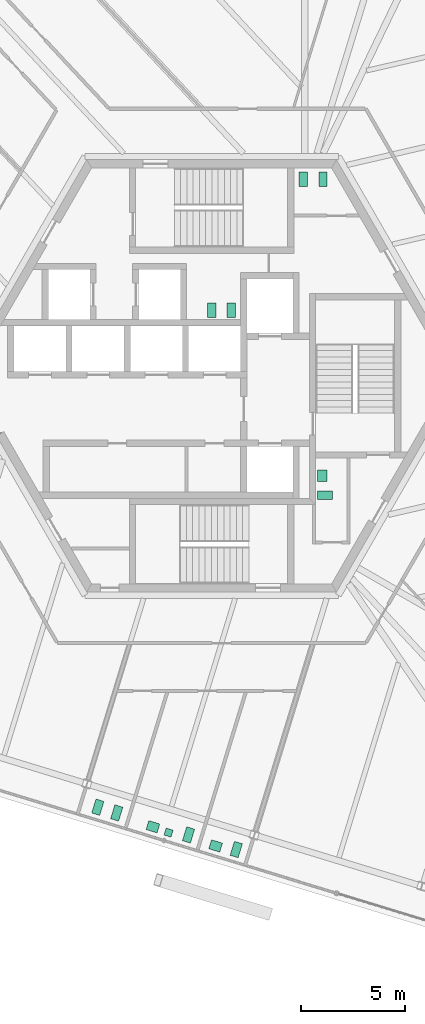
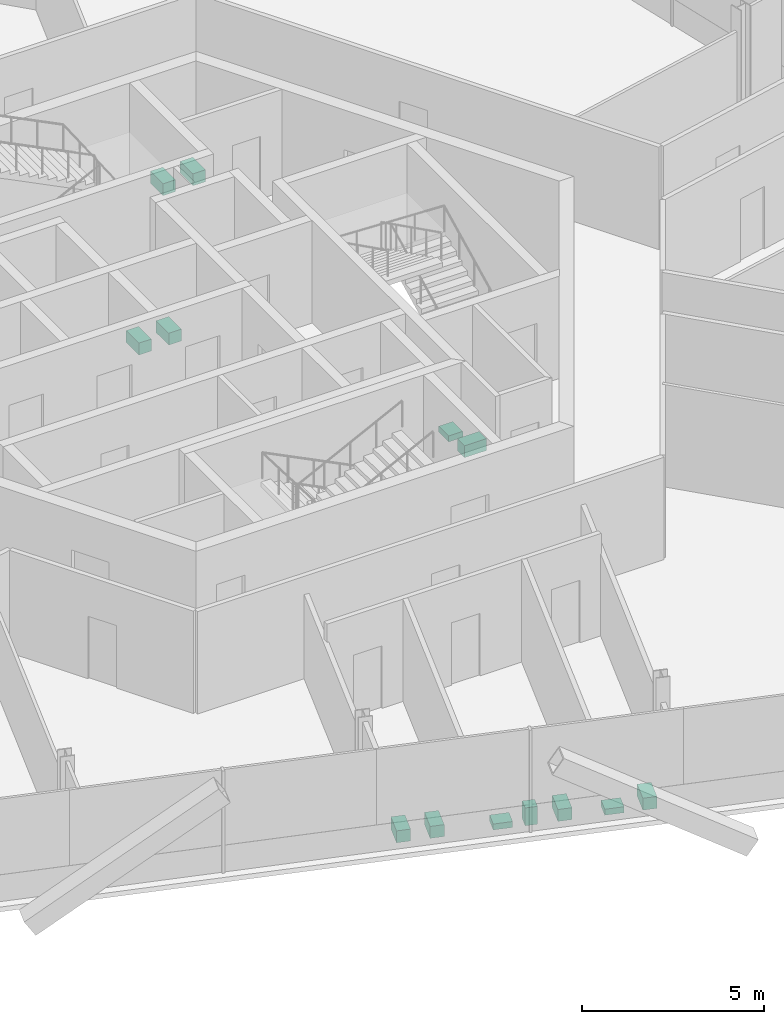
# One storey, part 17 of 19: 13 sanitary terminals.
"""IFC4 building model written with IfcOpenShell, lengths in metres."""

import ifcopenshell
import ifcopenshell.guid

model = None  # the IFC model being written
_history = None  # IfcOwnerHistory: only IFC2X3 demands one
_inside = {}  # id of a spatial element -> (the spatial element, [elements in it])
_under = {}  # id of a project, library or spatial element -> (it, [spatial elements below it])
_declared = {}  # id of a project -> (the project, [libraries it declares])
_typed = {}  # id of a type object -> (the type object, [elements of that type])
_made_of = {}  # id of a material, layer set ... -> (it, [elements and type objects made of it])


def new_model(schema):
    """Start an empty IFC model of exactly this schema.

    Asked for "IFC4X3", IfcOpenShell would pick the latest addendum, in which some entities
    have other attributes; the version numbers below select the first issue.
    IFC2X3 requires an IfcOwnerHistory on every rooted entity: one is made here for all.
    """
    global model, _history
    if schema == "IFC4X3":
        model = ifcopenshell.file(schema_version=(4, 3, 0, 0))
    else:
        model = ifcopenshell.file(schema=schema)
    _inside.clear()
    _under.clear()
    _declared.clear()
    _typed.clear()
    _made_of.clear()
    _history = None
    if model.schema == "IFC2X3":
        org = make("IfcOrganization", Name="unknown")
        user = make(
            "IfcPersonAndOrganization",
            ThePerson=make("IfcPerson", FamilyName="unknown"),
            TheOrganization=org,
        )
        app = make(
            "IfcApplication",
            ApplicationDeveloper=org,
            Version="unknown",
            ApplicationFullName="unknown",
            ApplicationIdentifier="unknown",
        )
        _history = make(
            "IfcOwnerHistory",
            OwningUser=user,
            OwningApplication=app,
            ChangeAction="ADDED",
            CreationDate=0,
        )
    return model


def make(cls, **values):
    """One entity of the class cls with the attributes given. An attribute that is None is left unset."""
    return model.create_entity(
        cls, **{name: value for name, value in values.items() if value is not None}
    )


def rooted(cls, **values):
    """An entity with a GlobalId (a new one), such as an element, a storey or a relation."""
    return make(cls, GlobalId=ifcopenshell.guid.new(), OwnerHistory=_history, **values)


def si_unit(unit_type, name, prefix=None):
    """IfcSIUnit, for example si_unit("LENGTHUNIT", "METRE", prefix="MILLI")."""
    return make("IfcSIUnit", UnitType=unit_type, Prefix=prefix, Name=name)


def assignment(units):
    """IfcUnitAssignment: the units of a project."""
    return None if units is None else make("IfcUnitAssignment", Units=units)


def point(xyz):
    """IfcCartesianPoint."""
    return None if xyz is None else make("IfcCartesianPoint", Coordinates=xyz)


def direction(xyz):
    """IfcDirection."""
    return None if xyz is None else make("IfcDirection", DirectionRatios=xyz)


def frame(location, z_axis=None, x_axis=None):
    """IfcAxis2Placement3D, a coordinate frame: its origin and axes. An axis left out is left unset."""
    return make(
        "IfcAxis2Placement3D",
        Location=point(location),
        Axis=direction(z_axis),
        RefDirection=direction(x_axis),
    )


def frame_2d(location, x_axis=None):
    """IfcAxis2Placement2D, a coordinate frame in the plane: its origin and x axis."""
    return make(
        "IfcAxis2Placement2D", Location=point(location), RefDirection=direction(x_axis)
    )


def origin():
    """The frame at (0, 0, 0) with its axes left unset."""
    return frame((0.0, 0.0, 0.0))


def origin_2d():
    """The frame at (0, 0) in the plane with its x axis left unset."""
    return frame_2d((0.0, 0.0))


def place(relative_to, where):
    """IfcLocalPlacement: puts the frame where relative to a parent placement (None: the world)."""
    return make(
        "IfcLocalPlacement", PlacementRelTo=relative_to, RelativePlacement=where
    )


def context(
    kind, dimensions, precision=None, world=None, true_north=None, identifier=None
):
    """IfcGeometricRepresentationContext, for example the 3D "Model" context."""
    return make(
        "IfcGeometricRepresentationContext",
        ContextIdentifier=identifier,
        ContextType=kind,
        CoordinateSpaceDimension=dimensions,
        Precision=precision,
        WorldCoordinateSystem=world,
        TrueNorth=true_north,
    )


def subcontext(parent, identifier, kind, view, scale=None):
    """IfcGeometricRepresentationSubContext, for example "Body" below "Model"."""
    return make(
        "IfcGeometricRepresentationSubContext",
        ContextIdentifier=identifier,
        ContextType=kind,
        ParentContext=parent,
        TargetScale=scale,
        TargetView=view,
    )


def project(units=None, contexts=None):
    """IfcProject with its units and contexts."""
    return rooted(
        "IfcProject",
        Name="project",
        RepresentationContexts=contexts,
        UnitsInContext=assignment(units),
    )


def spatial(cls, under=None, at=None, **own):
    """A site, building, storey or space (cls), placed at a placement, below another one or the project."""
    s = rooted(cls, ObjectPlacement=at, **own)
    if under is not None:
        _under.setdefault(under.id(), (under, []))[1].append(s)
    return s


def profile(cls, at=None, kind="AREA", **sizes):
    """A parametric profile (cls). Its sizes go by their IFC names, for example OverallWidth=200.0."""
    return make(cls, ProfileType=kind, Position=at, **sizes)


def rectangle(**sizes):
    """IfcRectangleProfileDef."""
    return profile("IfcRectangleProfileDef", **sizes)


def extrude(swept, where, along, depth):
    """IfcExtrudedAreaSolid: the profile swept, set in the frame where, extruded along a direction by depth."""
    return make(
        "IfcExtrudedAreaSolid",
        SweptArea=swept,
        Position=where,
        ExtrudedDirection=direction(along),
        Depth=depth,
    )


def shape(context_of_items, identifier, shape_type, items):
    """IfcShapeRepresentation: the items that make up one representation, for example the "Body"."""
    return make(
        "IfcShapeRepresentation",
        ContextOfItems=context_of_items,
        RepresentationIdentifier=identifier,
        RepresentationType=shape_type,
        Items=items,
    )


def source(mapping_origin, context_of_items, identifier, shape_type, items):
    """IfcRepresentationMap: a shape defined once, which mapped items show again and again."""
    return make(
        "IfcRepresentationMap",
        MappingOrigin=mapping_origin,
        MappedRepresentation=shape(context_of_items, identifier, shape_type, items),
    )


def transform(
    local_origin,
    x_axis=None,
    y_axis=None,
    z_axis=None,
    scale=None,
    scale2=None,
    scale3=None,
    uniform=True,
):
    """IfcCartesianTransformationOperator3D, or its non-uniform kind. x_axis, y_axis, z_axis: its Axis1, 2, 3."""
    if uniform:
        return make(
            "IfcCartesianTransformationOperator3D",
            Axis1=direction(x_axis),
            Axis2=direction(y_axis),
            LocalOrigin=point(local_origin),
            Scale=scale,
            Axis3=direction(z_axis),
        )
    return make(
        "IfcCartesianTransformationOperator3DnonUniform",
        Axis1=direction(x_axis),
        Axis2=direction(y_axis),
        LocalOrigin=point(local_origin),
        Scale=scale,
        Axis3=direction(z_axis),
        Scale2=scale2,
        Scale3=scale3,
    )


def mapped(mapping_source, mapping_target):
    """IfcMappedItem: shows the shape of a source again, moved by a transform."""
    return make(
        "IfcMappedItem", MappingSource=mapping_source, MappingTarget=mapping_target
    )


def material(Name=None, Category=None):
    """IfcMaterial."""
    return make("IfcMaterial", Name=Name, Category=Category)


def made_of(thing, what):
    """Note that an element or type object is made of a material, layer set ...; save() writes the relation."""
    if what is not None:
        _made_of.setdefault(what.id(), (what, []))[1].append(thing)
    return thing


def element(
    cls,
    number,
    at=None,
    inside=None,
    cuts=None,
    type_object=None,
    material=None,
    context=None,
    identifier="Body",
    shape_type=None,
    held_by="IfcProductDefinitionShape",
    body=None,
    shapes=None,
    **own,
):
    """One element of the class cls, such as IfcWall. Its Tag is "e" and its number.

    at: its placement. inside: the storey or other place that contains it. cuts: it is an
    opening in that element (IfcRelVoidsElement). A single representation is given by context,
    identifier, shape_type and body (its items); several are given by shapes. held_by: the class
    of the entity that holds the representations. save() writes the other relations.
    """
    e = rooted(cls, Tag="e%d" % number, ObjectPlacement=at, **own)
    if body is not None:
        shapes = [shape(context, identifier, shape_type, body)]
    if shapes is not None:
        e.Representation = make(held_by, Representations=shapes)
    if inside is not None:
        _inside.setdefault(inside.id(), (inside, []))[1].append(e)
    if cuts is not None:
        rooted(
            "IfcRelVoidsElement", RelatingBuildingElement=cuts, RelatedOpeningElement=e
        )
    if type_object is not None:
        _typed.setdefault(type_object.id(), (type_object, []))[1].append(e)
    return made_of(e, material)


def aggregate(whole, parts):
    """IfcRelAggregates: a whole, such as a stair, and the parts it consists of."""
    return rooted("IfcRelAggregates", RelatingObject=whole, RelatedObjects=parts)


def save(model, path):
    """Write the relations noted so far, then the file.

    IfcRelAggregates (storeys below a building ...), IfcRelContainedInSpatialStructure (elements
    in a storey), IfcRelDefinesByType, IfcRelAssociatesMaterial and IfcRelDeclares: one each for
    every whole, place, type object, material and project.
    """
    for whole, parts in _under.values():
        aggregate(whole, parts)
    for where, things in _inside.values():
        rooted(
            "IfcRelContainedInSpatialStructure",
            RelatedElements=things,
            RelatingStructure=where,
        )
    for kind, things in _typed.values():
        rooted("IfcRelDefinesByType", RelatedObjects=things, RelatingType=kind)
    for what, things in _made_of.values():
        rooted("IfcRelAssociatesMaterial", RelatedObjects=things, RelatingMaterial=what)
    for by, libraries in _declared.values():
        rooted("IfcRelDeclares", RelatingContext=by, RelatedDefinitions=libraries)
    model.write(path)


model = new_model("IFC4")

# Units and contexts
model_context = context("Model", 3, precision=1e-05, world=origin(), true_north=direction((0.0, 1.0)))
body_context = subcontext(model_context, "Body", "Model", "MODEL_VIEW")
ifc_project = project(units=[si_unit("LENGTHUNIT", "METRE"), si_unit("AREAUNIT", "SQUARE_METRE"), si_unit("VOLUMEUNIT", "CUBIC_METRE"), si_unit("PLANEANGLEUNIT", "RADIAN"), si_unit("MASSUNIT", "GRAM", prefix="KILO")], contexts=[model_context])

# Site, building, storey
site_placement = place(None, origin())
site = spatial("IfcSite", under=ifc_project, at=site_placement, CompositionType="ELEMENT")
building_placement = place(site_placement, origin())
building = spatial("IfcBuilding", under=site, at=building_placement, Name="Triune Harvest Tower", CompositionType="ELEMENT")
storey_placement = place(building_placement, frame((0.0, 0.0, 109.10009765625)))
storey = spatial("IfcBuildingStorey", under=building, at=storey_placement, Name="L27", CompositionType="ELEMENT", Elevation=109.10009765625)

# Sanitary terminals
ifc_material = material(Name="Vitreous china")
shared_shape_1 = source(origin(), body_context, "Body", "SweptSolid", [
    extrude(rectangle(XDim=0.39990234375, YDim=0.699951171875, at=origin_2d()), origin(), (0.0, 0.0, 1.0), 0.39990234375),
])
for number, where, z_axis, x_axis, name in (
    (1, (4.39990234375, 9.449951171875, 0.0), (0.0, 0.0, 1.0), (1.0, 0.0, 0.0), "Toilet pan L27.c01"),
    (2, (5.35009765625, 9.449951171875, 0.0), (0.0, 0.0, 1.0), (1.0, 0.0, 0.0), "Toilet pan L27.c02"),
    (3, (0.949951171875, 3.159912109375, 0.0), (0.0, 0.0, 1.0), (-1.0, 0.0, 0.0), "Toilet pan L27.c03"),
    (4, (0.0, 3.159912109375, 0.0), (0.0, 0.0, 1.0), (-1.0, 0.0, 0.0), "Toilet pan L27.c04"),
    (5, (5.449951171875, -5.739990234375, 0.0), (0.0, 0.0, 1.0), (0.0, 1.0, 0.0), "Toilet pan L27.c05"),
    (6, (-4.56103515625, -21.0087890625, 0.0), (0.0, 0.0, 1.0), (-0.956309858666, 0.292355014012, 0.0), "Toilet pan 01"),
    (7, (-5.469482421875, -20.73095703125, 0.0), (0.0, 0.0, 1.0), (-0.956309858666, 0.292355014012, 0.0), "Toilet pan 02"),
    (8, (-1.10986328125, -22.063720703125, 0.0), (0.0, 0.0, 1.0), (-0.956309858666, 0.292355014012, 0.0), "Toilet pan 03"),
    (9, (1.185302734375, -22.765380859375, 0.0), (0.0, 0.0, 1.0), (-0.956304755963, 0.292371704723, 0.0), "Toilet pan 06"),
):
    element("IfcSanitaryTerminal", number, at=place(storey_placement, frame(where, z_axis=z_axis, x_axis=x_axis)), inside=storey, material=ifc_material, Name=name, PredefinedType="TOILETPAN", context=body_context, shape_type="MappedRepresentation", body=[
        mapped(shared_shape_1, transform((0.0, 0.0, 0.0), scale=1.0)),
    ])
shared_shape_2 = source(origin(), body_context, "Body", "SweptSolid", [
    extrude(rectangle(XDim=0.35009765625, YDim=0.35009765625, at=origin_2d()), origin(), (0.0, 0.0, 1.0), 0.60009765625),
])
sanitary_terminal_placement = place(storey_placement, frame((-2.069580078125, -21.953369140625, -0.000244140625), z_axis=(0.0, 0.0, 1.0), x_axis=(-0.956309858666, 0.292355014012, 0.0)))
element("IfcSanitaryTerminal", 10, at=sanitary_terminal_placement, inside=storey, material=ifc_material, Name="Urinal 04", PredefinedType="URINAL", context=body_context, shape_type="MappedRepresentation", body=[
    mapped(shared_shape_2, transform((0.0, 0.0, 0.0), scale=1.0)),
])
shared_shape_3 = source(origin(), body_context, "Body", "SweptSolid", [
    extrude(rectangle(XDim=0.550048828125, YDim=0.449951171875, at=origin_2d()), origin(), (0.0, 0.0, 1.0), 0.199951171875),
])
for number, where, z_axis, x_axis, name in (
    (11, (5.324951171875, -4.7900390625, 0.0), (0.0, 0.0, 1.0), (0.0, 1.0, 0.0), "Wash basin L27.c06"),
    (12, (-2.820068359375, -21.671630859375, 0.0), (0.0, 0.0, 1.0), (-0.956309858666, 0.292355014012, 0.0), "Wash basin 05"),
    (13, (0.1923828125, -22.592529296875, 0.0), (0.0, 0.0, 1.0), (-0.956304755963, 0.292371704723, 0.0), "Wash basin 07"),
):
    element("IfcSanitaryTerminal", number, at=place(storey_placement, frame(where, z_axis=z_axis, x_axis=x_axis)), inside=storey, material=ifc_material, Name=name, PredefinedType="WASHHANDBASIN", context=body_context, shape_type="MappedRepresentation", body=[
        mapped(shared_shape_3, transform((0.0, 0.0, 0.0), scale=1.0)),
    ])

save(model, "model.ifc")
